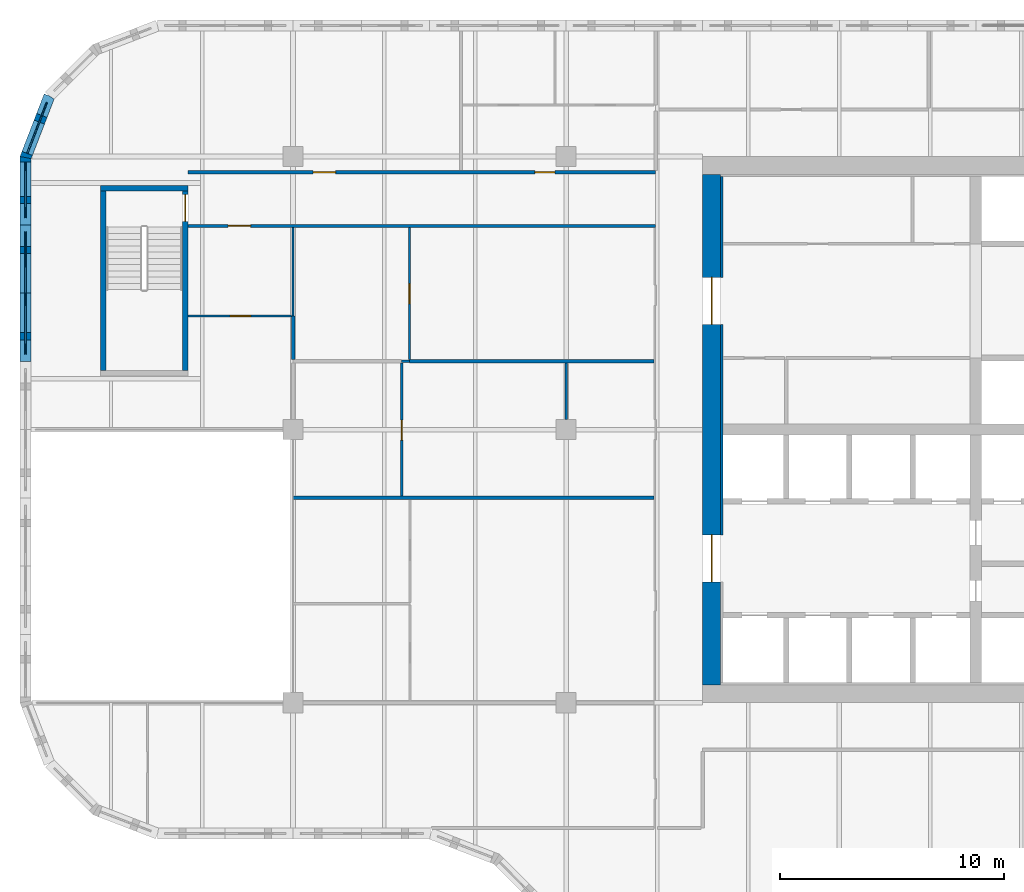
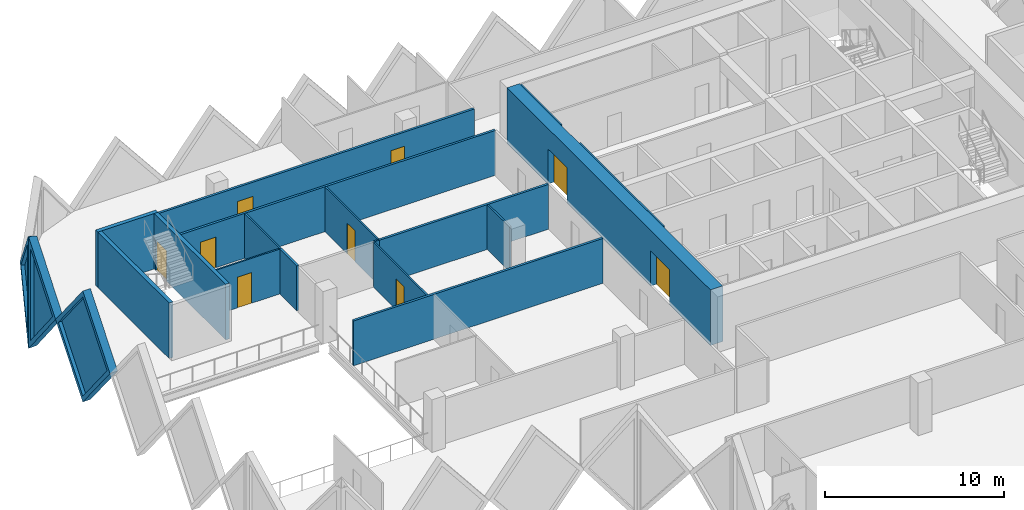
# One storey, part 8 of 19: 20 walls, 9 doors, 3 plates, 12 openings.
"""IFC4 building model written with IfcOpenShell, lengths in metres."""

from ifc_helpers import new_model, si_unit, direction, frame, frame_2d, origin, place, context, subcontext, project, spatial, polyline, rectangle, outline, extrude, faceted_brep, source, transform, mapped, material, layer, layer_set, type_object, element, fill, save


model = new_model("IFC4")

# Units and contexts
model_context = context("Model", 3, precision=1e-05, world=origin(), true_north=direction((0.0, 1.0)))
body_context = subcontext(model_context, "Body", "Model", "MODEL_VIEW")
ifc_project = project(units=[si_unit("LENGTHUNIT", "METRE"), si_unit("AREAUNIT", "SQUARE_METRE"), si_unit("VOLUMEUNIT", "CUBIC_METRE"), si_unit("PLANEANGLEUNIT", "RADIAN"), si_unit("MASSUNIT", "GRAM", prefix="KILO")], contexts=[model_context])

# Site, building, storey
site_placement = place(None, origin())
site = spatial("IfcSite", under=ifc_project, at=site_placement, CompositionType="ELEMENT")
building_placement = place(site_placement, origin())
building = spatial("IfcBuilding", under=site, at=building_placement, Name="Tessera Gate Towers", CompositionType="ELEMENT")
storey_placement = place(building_placement, frame((0.0, 0.0, 72.39990234375)))
storey = spatial("IfcBuildingStorey", under=building, at=storey_placement, Name="L17", CompositionType="ELEMENT", Elevation=72.39990234375)

# Walls
ifc_material_1 = material(Name="Concrete C40/50", Category="concrete")
ifc_layer_1 = layer(ifc_material_1, 0.25)
ifc_layer_set_1 = layer_set([ifc_layer_1], Name="CORE ENCLOSURE WALL 250")
wall_type_1 = type_object("IfcWallType", Name="CORE ENCLOSURE WALL 250", PredefinedType="SOLIDWALL", material=ifc_layer_set_1)
wall_1_placement = place(storey_placement, frame((3.72509765625, 39.25, 0.0), z_axis=(0.0, 0.0, 1.0), x_axis=(0.0, 1.0, 0.0)))
element("IfcWall", 1, at=wall_1_placement, inside=storey, type_object=wall_type_1, Name="L17 ST3 enclosure wall", PredefinedType="SOLIDWALL", context=body_context, shape_type="SweptSolid", body=[
    extrude(rectangle(XDim=8.0, YDim=0.25, at=frame_2d((4.0, 0.0))), origin(), (0.0, 0.0, 1.0), 3.800048828125),
])
wall_2_placement = place(storey_placement, frame((3.60009765625, 47.375, 0.0), z_axis=(0.0, 0.0, 1.0), x_axis=(1.0, 0.0, 0.0)))
element("IfcWall", 2, at=wall_2_placement, inside=storey, type_object=wall_type_1, Name="L17 ST3 enclosure wall", PredefinedType="SOLIDWALL", context=body_context, shape_type="SweptSolid", body=[
    extrude(rectangle(XDim=3.89990234375, YDim=0.25, at=frame_2d((1.949951171875, 0.0))), origin(), (0.0, 0.0, 1.0), 3.800048828125),
])

# Wall, opening, door
wall_3_placement = place(storey_placement, frame((7.375, 47.25, 0.0), z_axis=(0.0, 0.0, 1.0), x_axis=(0.0, -1.0, 0.0)))
wall_3 = element("IfcWall", 3, at=wall_3_placement, inside=storey, type_object=wall_type_1, Name="L17 ST3 enclosure wall", PredefinedType="SOLIDWALL", context=body_context, shape_type="SweptSolid", body=[
    extrude(rectangle(XDim=8.0, YDim=0.25, at=frame_2d((4.0, 0.0))), origin(), (0.0, 0.0, 1.0), 3.800048828125),
])
shared_shape_1 = source(origin(), body_context, "Body", "SweptSolid", [
    extrude(rectangle(XDim=1.199951171875, YDim=2.10009765625, at=frame_2d((0.60009765625, 1.050048828125))), frame((0.0, 0.135009765625, 0.0), z_axis=(0.0, -1.0, 0.0), x_axis=(1.0, 0.0, 0.0)), (0.0, 0.0, 1.0), 0.27001953125),
])
opening_1_placement = place(wall_3_placement, frame((0.14990234375, 0.0, 0.0)))
opening_1 = element("IfcOpeningElement", 4, at=opening_1_placement, cuts=wall_3, Name="Opening SD-ST3-1", PredefinedType="OPENING", context=body_context, shape_type="MappedRepresentation", body=[
    mapped(shared_shape_1, transform((0.0, 0.0, 0.0), scale=1.0)),
])
ifc_material_2 = material(Name="Hollow steel fire door", Category="steel")
door_type_1 = type_object("IfcDoorType", Name="CORE DOOR SD 1200x2100", OperationType="NOTDEFINED", PredefinedType="DOOR", material=ifc_material_2)
shared_shape_2 = source(origin(), body_context, "Body", "SweptSolid", [
    extrude(rectangle(XDim=1.199951171875, YDim=2.10009765625, at=frame_2d((0.60009765625, 1.050048828125))), frame((0.0, 0.02490234375, 0.0), z_axis=(0.0, -1.0, 0.0), x_axis=(1.0, 0.0, 0.0)), (0.0, 0.0, 1.0), 0.050048828125),
])
door_1_placement = place(opening_1_placement, origin())
door_1 = element("IfcDoor", 5, at=door_1_placement, inside=storey, type_object=door_type_1, Name="Stair door", OperationType="SINGLE_SWING_LEFT", OverallHeight=2.10009765625, OverallWidth=1.199951171875, PredefinedType="DOOR", context=body_context, shape_type="MappedRepresentation", body=[
    mapped(shared_shape_2, transform((0.0, 0.0, 0.0), scale=1.0)),
])
fill(opening_1, door_1)

# Wall, openings, doors
ifc_material_3 = material(Name="Concrete C60/75", Category="concrete")
ifc_layer_2 = layer(ifc_material_3, 0.800048828125)
ifc_layer_set_2 = layer_set([ifc_layer_2], Name="CORE SHEAR WALL 800 C60/75")
wall_type_2 = type_object("IfcWallType", Name="CORE SHEAR WALL 800 C60/75", PredefinedType="SHEAR", material=ifc_layer_set_2)
wall_4_placement = place(storey_placement, frame((30.89990234375, 25.199951171875, 0.0), z_axis=(0.0, 0.0, 1.0), x_axis=(0.0, 1.0, 0.0)))
wall_4 = element("IfcWall", 6, at=wall_4_placement, inside=storey, type_object=wall_type_2, Name="Core wall W L17", PredefinedType="SHEAR", context=body_context, shape_type="SweptSolid", body=[
    extrude(rectangle(XDim=22.800048828125, YDim=0.800048828125, at=frame_2d((11.39990234375, 0.0))), origin(), (0.0, 0.0, 1.0), 3.800048828125),
])
shared_shape_3 = source(origin(), body_context, "Body", "SweptSolid", [
    extrude(rectangle(XDim=2.10009765625, YDim=2.39990234375, at=frame_2d((1.050048828125, 1.199951171875))), frame((0.0, 0.409912109375, 0.0), z_axis=(0.0, -1.0, 0.0), x_axis=(1.0, 0.0, 0.0)), (0.0, 0.0, 1.0), 0.820068359375),
])
opening_2_placement = place(wall_4_placement, frame((4.60009765625, 0.0, 0.0)))
opening_2 = element("IfcOpeningElement", 7, at=opening_2_placement, cuts=wall_4, Name="Opening DD-T1-13-02", PredefinedType="OPENING", context=body_context, shape_type="MappedRepresentation", body=[
    mapped(shared_shape_3, transform((0.0, 0.0, 0.0), scale=1.0)),
])
opening_3_placement = place(wall_4_placement, frame((16.10009765625, 0.0, 0.0)))
opening_3 = element("IfcOpeningElement", 8, at=opening_3_placement, cuts=wall_4, Name="Opening DD-T1-13-03", PredefinedType="OPENING", context=body_context, shape_type="MappedRepresentation", body=[
    mapped(shared_shape_3, transform((0.0, 0.0, 0.0), scale=1.0)),
])
ifc_material_4 = material(Name="Hollow steel fire door", Category="steel")
door_type_2 = type_object("IfcDoorType", Name="CORE DOOR DD 2100x2400", OperationType="NOTDEFINED", PredefinedType="DOOR", material=ifc_material_4)
shared_shape_4 = source(origin(), body_context, "Body", "SweptSolid", [
    extrude(rectangle(XDim=2.10009765625, YDim=2.39990234375, at=frame_2d((1.050048828125, 1.199951171875))), frame((0.0, 0.02490234375, 0.0), z_axis=(0.0, -1.0, 0.0), x_axis=(1.0, 0.0, 0.0)), (0.0, 0.0, 1.0), 0.050048828125),
])
door_2_placement = place(opening_2_placement, origin())
door_2 = element("IfcDoor", 9, at=door_2_placement, inside=storey, type_object=door_type_2, Name="Core entrance door", OperationType="DOUBLE_DOOR_SINGLE_SWING", OverallHeight=2.39990234375, OverallWidth=2.10009765625, PredefinedType="DOOR", context=body_context, shape_type="MappedRepresentation", body=[
    mapped(shared_shape_4, transform((0.0, 0.0, 0.0), scale=1.0)),
])
fill(opening_2, door_2)
door_3_placement = place(opening_3_placement, origin())
door_3 = element("IfcDoor", 10, at=door_3_placement, inside=storey, type_object=door_type_2, Name="Core entrance door", OperationType="DOUBLE_DOOR_SINGLE_SWING", OverallHeight=2.39990234375, OverallWidth=2.10009765625, PredefinedType="DOOR", context=body_context, shape_type="MappedRepresentation", body=[
    mapped(shared_shape_4, transform((0.0, 0.0, 0.0), scale=1.0)),
])
fill(opening_3, door_3)

# Walls
ifc_material_5 = material(Name="Concrete C60/75", Category="concrete")
ifc_layer_3 = layer(ifc_material_5, 0.10009765625)
ifc_layer_set_3 = layer_set([ifc_layer_3], Name="CORE WALL THICKENING 100")
wall_type_3 = type_object("IfcWallType", Name="CORE WALL THICKENING 100", PredefinedType="SOLIDWALL", material=ifc_layer_set_3)
wall_5_placement = place(storey_placement, frame((31.35009765625, 31.89990234375, 0.0), z_axis=(0.0, 0.0, 1.0), x_axis=(0.0, 1.0, 0.0)))
element("IfcWall", 11, at=wall_5_placement, inside=storey, type_object=wall_type_3, Name="Core wall thickening W L17", PredefinedType="SOLIDWALL", context=body_context, shape_type="SweptSolid", body=[
    extrude(rectangle(XDim=9.400146484375, YDim=0.10009765625, at=frame_2d((4.7001953125, 0.0))), origin(), (0.0, 0.0, 1.0), 3.800048828125),
])
wall_6_placement = place(storey_placement, frame((31.35009765625, 43.39990234375, 0.0), z_axis=(0.0, 0.0, 1.0), x_axis=(0.0, 1.0, 0.0)))
element("IfcWall", 12, at=wall_6_placement, inside=storey, type_object=wall_type_3, Name="Core wall thickening W L17", PredefinedType="SOLIDWALL", context=body_context, shape_type="SweptSolid", body=[
    extrude(rectangle(XDim=4.5, YDim=0.10009765625, at=frame_2d((2.25, 0.0))), origin(), (0.0, 0.0, 1.0), 3.800048828125),
])

# Wall, opening, door
ifc_material_6 = material(Name="Gypsum board on steel studs, mineral wool", Category="steel")
ifc_layer_4 = layer(ifc_material_6, 0.14990234375)
ifc_layer_set_4 = layer_set([ifc_layer_4], Name="CORRIDOR WALL 150")
wall_type_4 = type_object("IfcWallType", Name="CORRIDOR WALL 150", PredefinedType="PARTITIONING", material=ifc_layer_set_4)
wall_7_placement = place(storey_placement, frame((28.39990234375, 45.699951171875, 0.0), z_axis=(0.0, 0.0, 1.0), x_axis=(-1.0, 0.0, 0.0)))
wall_7 = element("IfcWall", 13, at=wall_7_placement, inside=storey, type_object=wall_type_4, Name="T1-L17-PW-042", PredefinedType="PARTITIONING", context=body_context, shape_type="SweptSolid", body=[
    extrude(rectangle(XDim=20.89990234375, YDim=0.14990234375, at=frame_2d((10.449951171875, 0.0))), origin(), (0.0, 0.0, 1.0), 3.067138671875),
])
shared_shape_5 = source(origin(), body_context, "Body", "SweptSolid", [
    extrude(rectangle(XDim=1.0, YDim=2.10009765625, at=frame_2d((0.5, 1.050048828125))), frame((0.0, 0.0849609375, 0.0), z_axis=(0.0, -1.0, 0.0), x_axis=(1.0, 0.0, 0.0)), (0.0, 0.0, 1.0), 0.169921875),
])
opening_4_placement = place(wall_7_placement, frame((18.10009765625, 0.0, 0.0)))
opening_4 = element("IfcOpeningElement", 14, at=opening_4_placement, cuts=wall_7, Name="Opening D2100FD60-A06-01", PredefinedType="OPENING", context=body_context, shape_type="MappedRepresentation", body=[
    mapped(shared_shape_5, transform((0.0, 0.0, 0.0), scale=1.0)),
])
ifc_material_7 = material(Name="Timber door leaf in steel frame", Category="steel")
door_type_3 = type_object("IfcDoorType", Name="TENANCY ENTRANCE DOOR 1000 FD60", OperationType="NOTDEFINED", PredefinedType="DOOR", material=ifc_material_7)
shared_shape_6 = source(origin(), body_context, "Body", "SweptSolid", [
    extrude(rectangle(XDim=1.0, YDim=2.10009765625, at=frame_2d((0.5, 1.050048828125))), frame((0.0, 0.02490234375, 0.0), z_axis=(0.0, -1.0, 0.0), x_axis=(1.0, 0.0, 0.0)), (0.0, 0.0, 1.0), 0.050048828125),
])
door_4_placement = place(opening_4_placement, origin())
door_4 = element("IfcDoor", 15, at=door_4_placement, inside=storey, type_object=door_type_3, Name="T1-L17-PD-010", OperationType="SINGLE_SWING_RIGHT", OverallHeight=2.10009765625, OverallWidth=1.0, PredefinedType="DOOR", context=body_context, shape_type="MappedRepresentation", body=[
    mapped(shared_shape_6, transform((0.0, 0.0, 0.0), scale=1.0)),
])
fill(opening_4, door_4)

# Wall, openings, doors
wall_8_placement = place(storey_placement, frame((7.5, 48.10009765625, 0.0), z_axis=(0.0, 0.0, 1.0), x_axis=(1.0, 0.0, 0.0)))
wall_8 = element("IfcWall", 16, at=wall_8_placement, inside=storey, type_object=wall_type_4, Name="T1-L17-PW-043", PredefinedType="PARTITIONING", context=body_context, shape_type="SweptSolid", body=[
    extrude(rectangle(XDim=20.89990234375, YDim=0.14990234375, at=frame_2d((10.449951171875, 0.0))), origin(), (0.0, 0.0, 1.0), 3.067138671875),
])
shared_shape_7 = source(origin(), body_context, "Body", "SweptSolid", [
    extrude(rectangle(XDim=0.89990234375, YDim=2.10009765625, at=frame_2d((0.449951171875, 1.050048828125))), frame((0.0, 0.0849609375, 0.0), z_axis=(0.0, -1.0, 0.0), x_axis=(1.0, 0.0, 0.0)), (0.0, 0.0, 1.0), 0.169921875),
])
opening_5_placement = place(wall_8_placement, frame((15.5009765625, 0.0, 0.0)))
opening_5 = element("IfcOpeningElement", 17, at=opening_5_placement, cuts=wall_8, Name="Opening D890FD60-A06-06", PredefinedType="OPENING", context=body_context, shape_type="MappedRepresentation", body=[
    mapped(shared_shape_7, transform((0.0, 0.0, 0.0), scale=1.0)),
])
opening_6_placement = place(wall_8_placement, frame((5.60009765625, 0.0, 0.0)))
opening_6 = element("IfcOpeningElement", 18, at=opening_6_placement, cuts=wall_8, Name="Opening D2100FD60-A06-03", PredefinedType="OPENING", context=body_context, shape_type="MappedRepresentation", body=[
    mapped(shared_shape_5, transform((0.0, 0.0, 0.0), scale=1.0)),
])
ifc_material_8 = material(Name="Timber door leaf in steel frame", Category="steel")
door_type_4 = type_object("IfcDoorType", Name="CORRIDOR DOOR 900 FD60", OperationType="NOTDEFINED", PredefinedType="DOOR", material=ifc_material_8)
shared_shape_8 = source(origin(), body_context, "Body", "SweptSolid", [
    extrude(rectangle(XDim=0.89990234375, YDim=2.10009765625, at=frame_2d((0.449951171875, 1.050048828125))), frame((0.0, 0.02490234375, 0.0), z_axis=(0.0, -1.0, 0.0), x_axis=(1.0, 0.0, 0.0)), (0.0, 0.0, 1.0), 0.050048828125),
])
door_5_placement = place(opening_5_placement, origin())
door_5 = element("IfcDoor", 19, at=door_5_placement, inside=storey, type_object=door_type_4, Name="T1-L17-PD-020", OperationType="SINGLE_SWING_LEFT", OverallHeight=2.10009765625, OverallWidth=0.89990234375, PredefinedType="DOOR", context=body_context, shape_type="MappedRepresentation", body=[
    mapped(shared_shape_8, transform((0.0, 0.0, 0.0), scale=1.0)),
])
fill(opening_5, door_5)
door_6_placement = place(opening_6_placement, origin())
door_6 = element("IfcDoor", 20, at=door_6_placement, inside=storey, type_object=door_type_3, Name="T1-L17-PD-026", OperationType="SINGLE_SWING_LEFT", OverallHeight=2.10009765625, OverallWidth=1.0, PredefinedType="DOOR", context=body_context, shape_type="MappedRepresentation", body=[
    mapped(shared_shape_6, transform((0.0, 0.0, 0.0), scale=1.0)),
])
fill(opening_6, door_6)

# Wall
ifc_material_9 = material(Name="Glass", Category="glass")
ifc_layer_5 = layer(ifc_material_9, 0.10009765625)
ifc_layer_set_5 = layer_set([ifc_layer_5], Name="GLAZED PARTITION 100")
wall_type_5 = type_object("IfcWallType", Name="GLAZED PARTITION 100", PredefinedType="PARTITIONING", material=ifc_layer_set_5)
wall_9_placement = place(storey_placement, frame((17.051025390625, 39.64990234375, 0.0), z_axis=(0.0, 0.0, 1.0), x_axis=(1.0, 0.0, 0.0)))
element("IfcWall", 21, at=wall_9_placement, inside=storey, type_object=wall_type_5, Name="T1-L17-PW-036", PredefinedType="PARTITIONING", context=body_context, shape_type="SweptSolid", body=[
    extrude(rectangle(XDim=0.347900390625, YDim=0.10009765625, at=frame_2d((0.173828125, 0.0))), origin(), (0.0, 0.0, 1.0), 3.067138671875),
])

# Wall, opening, door
wall_10_placement = place(storey_placement, frame((17.39990234375, 39.72607421875, 0.0), z_axis=(0.0, 0.0, 1.0), x_axis=(0.0, 1.0, 0.0)))
wall_10 = element("IfcWall", 22, at=wall_10_placement, inside=storey, type_object=wall_type_5, Name="T1-L17-PW-039", PredefinedType="PARTITIONING", context=body_context, shape_type="SweptSolid", body=[
    extrude(rectangle(XDim=5.89794921875, YDim=0.10009765625, at=frame_2d((2.948974609375, 0.0))), origin(), (0.0, 0.0, 1.0), 3.067138671875),
])
shared_shape_9 = source(origin(), body_context, "Body", "SweptSolid", [
    extrude(rectangle(XDim=0.89990234375, YDim=2.10009765625, at=frame_2d((0.449951171875, 1.050048828125))), frame((0.0, 0.06005859375, 0.0), z_axis=(0.0, -1.0, 0.0), x_axis=(1.0, 0.0, 0.0)), (0.0, 0.0, 1.0), 0.1201171875),
])
opening_7_placement = place(wall_10_placement, frame((2.5, 0.0, 0.0)))
opening_7 = element("IfcOpeningElement", 23, at=opening_7_placement, cuts=wall_10, Name="Opening D690-A06-06", PredefinedType="OPENING", context=body_context, shape_type="MappedRepresentation", body=[
    mapped(shared_shape_9, transform((0.0, 0.0, 0.0), scale=1.0)),
])
ifc_material_10 = material(Name="Glass in aluminium frame", Category="aluminium")
door_type_5 = type_object("IfcDoorType", Name="GLAZED DOOR 900 NOT RATED", OperationType="NOTDEFINED", PredefinedType="DOOR", material=ifc_material_10)
door_7_placement = place(opening_7_placement, origin())
door_7 = element("IfcDoor", 24, at=door_7_placement, inside=storey, type_object=door_type_5, Name="T1-L17-PD-015", OperationType="SINGLE_SWING_LEFT", OverallHeight=2.10009765625, OverallWidth=0.89990234375, PredefinedType="DOOR", context=body_context, shape_type="MappedRepresentation", body=[
    mapped(shared_shape_8, transform((0.0, 0.0, 0.0), scale=1.0)),
])
fill(opening_7, door_7)

wall_11_placement = place(storey_placement, frame((12.1240234375, 41.675048828125, 0.0), z_axis=(0.0, 0.0, 1.0), x_axis=(-1.0, 0.0, 0.0)))
wall_11 = element("IfcWall", 25, at=wall_11_placement, inside=storey, type_object=wall_type_5, Name="T1-L17-PW-040", PredefinedType="PARTITIONING", context=body_context, shape_type="SweptSolid", body=[
    extrude(rectangle(XDim=4.6240234375, YDim=0.10009765625, at=frame_2d((2.31201171875, 0.0))), origin(), (0.0, 0.0, 1.0), 3.067138671875),
])
opening_8_placement = place(wall_11_placement, frame((1.823974609375, 0.0, 0.0)))
opening_8 = element("IfcOpeningElement", 26, at=opening_8_placement, cuts=wall_11, Name="Opening D690-A06-03", PredefinedType="OPENING", context=body_context, shape_type="MappedRepresentation", body=[
    mapped(shared_shape_9, transform((0.0, 0.0, 0.0), scale=1.0)),
])
door_8_placement = place(opening_8_placement, origin())
door_8 = element("IfcDoor", 27, at=door_8_placement, inside=storey, type_object=door_type_5, Name="T1-L17-PD-009", OperationType="SINGLE_SWING_RIGHT", OverallHeight=2.10009765625, OverallWidth=0.89990234375, PredefinedType="DOOR", context=body_context, shape_type="MappedRepresentation", body=[
    mapped(shared_shape_8, transform((0.0, 0.0, 0.0), scale=1.0)),
])
fill(opening_8, door_8)

# Wall
wall_12_placement = place(storey_placement, frame((12.199951171875, 41.676025390625, 0.0), z_axis=(0.0, 0.0, 1.0), x_axis=(0.0, 1.0, 0.0)))
element("IfcWall", 28, at=wall_12_placement, inside=storey, type_object=wall_type_5, Name="T1-L17-PW-041", PredefinedType="PARTITIONING", context=body_context, shape_type="SweptSolid", body=[
    extrude(rectangle(XDim=3.947998046875, YDim=0.10009765625, at=frame_2d((1.97412109375, 0.0))), origin(), (0.0, 0.0, 1.0), 3.067138671875),
])

# Wall, opening, door
ifc_material_11 = material(Name="Gypsum board on steel studs", Category="steel")
ifc_layer_6 = layer(ifc_material_11, 0.10009765625)
ifc_layer_set_6 = layer_set([ifc_layer_6], Name="PARTITION 100")
wall_type_6 = type_object("IfcWallType", Name="PARTITION 100", PredefinedType="PARTITIONING", material=ifc_layer_set_6)
wall_13_placement = place(storey_placement, frame((17.050048828125, 33.6259765625, 0.0), z_axis=(0.0, 0.0, 1.0), x_axis=(0.0, 1.0, 0.0)))
wall_13 = element("IfcWall", 29, at=wall_13_placement, inside=storey, type_object=wall_type_6, Name="T1-L17-PW-032", PredefinedType="PARTITIONING", context=body_context, shape_type="SweptSolid", body=[
    extrude(rectangle(XDim=5.947998046875, YDim=0.10009765625, at=frame_2d((2.97412109375, 0.0))), origin(), (0.0, 0.0, 1.0), 3.067138671875),
])
opening_9_placement = place(wall_13_placement, frame((2.5, 0.0, 0.0)))
opening_9 = element("IfcOpeningElement", 30, at=opening_9_placement, cuts=wall_13, Name="Opening D190-A06-07", PredefinedType="OPENING", context=body_context, shape_type="MappedRepresentation", body=[
    mapped(shared_shape_9, transform((0.0, 0.0, 0.0), scale=1.0)),
])
ifc_material_12 = material(Name="Timber door leaf in steel frame", Category="steel")
door_type_6 = type_object("IfcDoorType", Name="INTERNAL DOOR 900 NOT RATED", OperationType="NOTDEFINED", PredefinedType="DOOR", material=ifc_material_12)
door_9_placement = place(opening_9_placement, origin())
door_9 = element("IfcDoor", 31, at=door_9_placement, inside=storey, type_object=door_type_6, Name="T1-L17-PD-016", OperationType="SINGLE_SWING_LEFT", OverallHeight=2.10009765625, OverallWidth=0.89990234375, PredefinedType="DOOR", context=body_context, shape_type="MappedRepresentation", body=[
    mapped(shared_shape_8, transform((0.0, 0.0, 0.0), scale=1.0)),
])
fill(opening_9, door_9)

# Walls
wall_14_placement = place(storey_placement, frame((24.39990234375, 37.050048828125, 0.0), z_axis=(0.0, 0.0, 1.0), x_axis=(0.0, 1.0, 0.0)))
element("IfcWall", 32, at=wall_14_placement, inside=storey, type_object=wall_type_6, Name="T1-L17-PW-034", PredefinedType="PARTITIONING", context=body_context, shape_type="SweptSolid", body=[
    extrude(rectangle(XDim=2.52490234375, YDim=0.10009765625, at=frame_2d((1.262451171875, 0.0))), origin(), (0.0, 0.0, 1.0), 3.067138671875),
])
ifc_material_13 = material(Name="Gypsum board on steel studs, mineral wool", Category="steel")
ifc_layer_7 = layer(ifc_material_13, 0.14990234375)
ifc_layer_set_7 = layer_set([ifc_layer_7], Name="TENANCY WALL 150")
wall_type_7 = type_object("IfcWallType", Name="TENANCY WALL 150", PredefinedType="PARTITIONING", material=ifc_layer_set_7)
wall_15_placement = place(storey_placement, frame((12.199951171875, 33.550048828125, 0.0), z_axis=(0.0, 0.0, 1.0), x_axis=(1.0, 0.0, 0.0)))
element("IfcWall", 33, at=wall_15_placement, inside=storey, type_object=wall_type_7, Name="T1-L17-PW-031", PredefinedType="PARTITIONING", context=body_context, shape_type="SweptSolid", body=[
    extrude(rectangle(XDim=16.1240234375, YDim=0.14990234375, at=frame_2d((8.06201171875, 0.0))), origin(), (0.0, 0.0, 1.0), 3.067138671875),
])
wall_16_placement = place(storey_placement, frame((17.39990234375, 39.64990234375, 0.0), z_axis=(0.0, 0.0, 1.0), x_axis=(1.0, 0.0, 0.0)))
element("IfcWall", 34, at=wall_16_placement, inside=storey, type_object=wall_type_7, Name="T1-L17-PW-037", PredefinedType="PARTITIONING", context=body_context, shape_type="SweptSolid", body=[
    extrude(rectangle(XDim=10.924072265625, YDim=0.14990234375, at=frame_2d((5.4619140625, 0.0))), origin(), (0.0, 0.0, 1.0), 3.067138671875),
])
wall_17_placement = place(storey_placement, frame((12.199951171875, 39.72607421875, 0.0), z_axis=(0.0, 0.0, 1.0), x_axis=(0.0, 1.0, 0.0)))
element("IfcWall", 35, at=wall_17_placement, inside=storey, type_object=wall_type_7, Name="T1-L17-PW-038", PredefinedType="PARTITIONING", context=body_context, shape_type="SweptSolid", body=[
    extrude(rectangle(XDim=1.948974609375, YDim=0.14990234375, at=frame_2d((0.974609375, 0.0))), origin(), (0.0, 0.0, 1.0), 3.067138671875),
])

# Wall, opening, plate
ifc_material_14 = material(Name="Precast concrete C60/75 white", Category="concrete")
ifc_layer_8 = layer(ifc_material_14, 0.5)
ifc_layer_set_8 = layer_set([ifc_layer_8], Name="TS3 corner tessera")
wall_type_8 = type_object("IfcWallType", Name="TS3 corner tessera", PredefinedType="SOLIDWALL", material=ifc_layer_set_8)
shared_shape_10 = source(origin(), body_context, "Body", "Brep", [
    faceted_brep([(0.046630859375, -0.25, 0.0), (3.050048828125, -0.25, 3.7998046875), (0.046630859375, -0.25, 7.599853515625), (0.0, -0.25, 7.539794921875), (0.0, -0.25, 0.06005859375), (0.09326171875, 0.25, 7.541015625), (3.050048828125, 0.25, 3.7998046875), (0.09326171875, 0.25, 0.058837890625), (0.046630859375, 0.0, 0.0), (0.046630859375, 0.0, 7.599853515625)], [[[0, 1, 2, 3, 4]], [[5, 6, 7]], [[7, 6, 1, 0, 8]], [[6, 5, 9, 2, 1]], [[3, 2, 9]], [[8, 0, 4]], [[7, 8, 4, 3, 9, 5]]]),
])
wall_18_placement = place(storey_placement, frame((0.25, 48.800048828125, -3.7998046875), z_axis=(0.0, 0.0, 1.0), x_axis=(0.0, -1.0, 0.0)))
wall_18 = element("IfcWall", 36, at=wall_18_placement, inside=storey, type_object=wall_type_8, Name="Precast corner tessera T1 TS3-0372", PredefinedType="SOLIDWALL", context=body_context, shape_type="MappedRepresentation", body=[
    mapped(shared_shape_10, transform((0.0, 0.0, 0.0), scale=1.0)),
])
shared_shape_11 = source(origin(), body_context, "Body", "SweptSolid", [
    extrude(outline(polyline([(0.24658203125, 0.656005859375), (2.7314453125, 3.7998046875), (0.24658203125, 6.943603515625), (0.24658203125, 0.656005859375)])), frame((0.0, 0.260009765625, 0.0), z_axis=(0.0, -1.0, 0.0), x_axis=(1.0, 0.0, 0.0)), (0.0, 0.0, 1.0), 0.52001953125),
])
opening_10_placement = place(wall_18_placement, origin())
opening_10 = element("IfcOpeningElement", 37, at=opening_10_placement, cuts=wall_18, Name="Opening T1-PL2-0499", PredefinedType="OPENING", context=body_context, shape_type="MappedRepresentation", body=[
    mapped(shared_shape_11, transform((0.0, 0.0, 0.0), scale=1.0)),
])
ifc_material_15 = material(Name="Low-e laminated glass", Category="glass")
ifc_layer_9 = layer(ifc_material_15, 0.06005859375)
ifc_layer_set_9 = layer_set([ifc_layer_9], Name="PL2 rhombic pane")
plate_type = type_object("IfcPlateType", Name="PL2 rhombic pane", PredefinedType="SHEET", material=ifc_layer_set_9)
shared_shape_12 = source(origin(), body_context, "Body", "SweptSolid", [
    extrude(outline(polyline([(0.24658203125, 0.656005859375), (2.7314453125, 3.7998046875), (0.24658203125, 6.943603515625), (0.24658203125, 0.656005859375)])), frame((0.0, 0.030029296875, 0.0), z_axis=(0.0, -1.0, 0.0), x_axis=(1.0, 0.0, 0.0)), (0.0, 0.0, 1.0), 0.06005859375),
])
plate_1_placement = place(opening_10_placement, origin())
plate_1 = element("IfcPlate", 38, at=plate_1_placement, inside=storey, type_object=plate_type, Name="Glass pane T1 PL2-0499", PredefinedType="SHEET", context=body_context, shape_type="MappedRepresentation", body=[
    mapped(shared_shape_12, transform((0.0, 0.0, 0.0), scale=1.0)),
])
fill(opening_10, plate_1)

shared_shape_13 = source(origin(), body_context, "Body", "Brep", [
    faceted_brep([(2.950439453125, -0.25, 0.0), (2.9970703125, -0.25, 0.05908203125), (2.9970703125, -0.25, 7.540771484375), (2.950439453125, -0.25, 7.599853515625), (0.0, -0.25, 3.7998046875), (0.052978515625, 0.25, 3.867919921875), (2.904052734375, 0.25, 7.5400390625), (2.904052734375, 0.25, 0.059814453125), (0.052978515625, 0.25, 3.731689453125), (2.950439453125, 0.00048828125, 0.0), (2.950439453125, 0.00048828125, 7.599853515625), (0.0, 0.0, 3.7998046875)], [[[0, 1, 2, 3, 4]], [[5, 6, 7, 8]], [[1, 0, 9]], [[10, 3, 2]], [[6, 5, 11, 4, 3, 10]], [[8, 7, 9, 0, 4, 11]], [[8, 11, 5]], [[1, 9, 7, 6, 10, 2]]]),
])
wall_19_placement = place(storey_placement, frame((1.31201171875, 51.50634765625, -3.7998046875), z_axis=(0.0, 0.0, 1.0), x_axis=(-0.359944998003, -0.932973525033, 0.0)))
wall_19 = element("IfcWall", 39, at=wall_19_placement, inside=storey, type_object=wall_type_8, Name="Precast corner tessera T1 TS3-0371", PredefinedType="SOLIDWALL", context=body_context, shape_type="MappedRepresentation", body=[
    mapped(shared_shape_13, transform((0.0, 0.0, 0.0), scale=1.0)),
])
shared_shape_14 = source(origin(), body_context, "Body", "SweptSolid", [
    extrude(outline(polyline([(2.75048828125, 6.9345703125), (0.31640625, 3.7998046875), (2.75048828125, 0.6650390625), (2.75048828125, 6.9345703125)])), frame((0.0, 0.260009765625, 0.0), z_axis=(0.0, -1.0, 0.0), x_axis=(1.0, 0.0, 0.0)), (0.0, 0.0, 1.0), 0.52001953125),
])
opening_11_placement = place(wall_19_placement, origin())
opening_11 = element("IfcOpeningElement", 40, at=opening_11_placement, cuts=wall_19, Name="Opening T1-PL2-0498", PredefinedType="OPENING", context=body_context, shape_type="MappedRepresentation", body=[
    mapped(shared_shape_14, transform((0.0, 0.0, 0.0), scale=1.0)),
])
shared_shape_15 = source(origin(), body_context, "Body", "SweptSolid", [
    extrude(outline(polyline([(2.75048828125, 6.9345703125), (0.31640625, 3.7998046875), (2.75048828125, 0.6650390625), (2.75048828125, 6.9345703125)])), frame((0.0, 0.030029296875, 0.0), z_axis=(0.0, -1.0, 0.0), x_axis=(1.0, 0.0, 0.0)), (0.0, 0.0, 1.0), 0.06005859375),
])
plate_2_placement = place(opening_11_placement, origin())
plate_2 = element("IfcPlate", 41, at=plate_2_placement, inside=storey, type_object=plate_type, Name="Glass pane T1 PL2-0498", PredefinedType="SHEET", context=body_context, shape_type="MappedRepresentation", body=[
    mapped(shared_shape_15, transform((0.0, 0.0, 0.0), scale=1.0)),
])
fill(opening_11, plate_2)

ifc_material_16 = material(Name="Precast concrete C60/75 white", Category="concrete")
ifc_layer_10 = layer(ifc_material_16, 0.5)
ifc_layer_set_10 = layer_set([ifc_layer_10], Name="TS1 tessera")
wall_type_9 = type_object("IfcWallType", Name="TS1 tessera", PredefinedType="SOLIDWALL", material=ifc_layer_set_10)
shared_shape_16 = source(origin(), body_context, "Body", "SweptSolid", [
    extrude(outline(polyline([(3.050048828125, 0.0), (6.10009765625, 3.7998046875), (3.050048828125, 7.599853515625), (0.0, 3.7998046875), (3.050048828125, 0.0)])), frame((0.0, 0.25, 0.0), z_axis=(0.0, -1.0, 0.0), x_axis=(1.0, 0.0, 0.0)), (0.0, 0.0, 1.0), 0.5),
])
wall_20_placement = place(storey_placement, frame((0.25, 45.75, -3.7998046875), z_axis=(0.0, 0.0, 1.0), x_axis=(0.0, -1.0, 0.0)))
wall_20 = element("IfcWall", 42, at=wall_20_placement, inside=storey, type_object=wall_type_9, Name="Precast tessera T1 TS1-0248", PredefinedType="SOLIDWALL", context=body_context, shape_type="MappedRepresentation", body=[
    mapped(shared_shape_16, transform((0.0, 0.0, 0.0), scale=1.0)),
])
shared_shape_17 = source(origin(), body_context, "Body", "SweptSolid", [
    extrude(outline(polyline([(3.050048828125, 0.3994140625), (5.779541015625, 3.7998046875), (3.050048828125, 7.200439453125), (0.320556640625, 3.7998046875), (3.050048828125, 0.3994140625)])), frame((0.0, 0.260009765625, 0.0), z_axis=(0.0, -1.0, 0.0), x_axis=(1.0, 0.0, 0.0)), (0.0, 0.0, 1.0), 0.52001953125),
])
opening_12_placement = place(wall_20_placement, origin())
opening_12 = element("IfcOpeningElement", 43, at=opening_12_placement, cuts=wall_20, Name="Opening T1-PL2-0500", PredefinedType="OPENING", context=body_context, shape_type="MappedRepresentation", body=[
    mapped(shared_shape_17, transform((0.0, 0.0, 0.0), scale=1.0)),
])
shared_shape_18 = source(origin(), body_context, "Body", "SweptSolid", [
    extrude(outline(polyline([(3.050048828125, 0.3994140625), (5.779541015625, 3.7998046875), (3.050048828125, 7.200439453125), (0.320556640625, 3.7998046875), (3.050048828125, 0.3994140625)])), frame((0.0, 0.030029296875, 0.0), z_axis=(0.0, -1.0, 0.0), x_axis=(1.0, 0.0, 0.0)), (0.0, 0.0, 1.0), 0.06005859375),
])
plate_3_placement = place(opening_12_placement, origin())
plate_3 = element("IfcPlate", 44, at=plate_3_placement, inside=storey, type_object=plate_type, Name="Glass pane T1 PL2-0500", PredefinedType="SHEET", context=body_context, shape_type="MappedRepresentation", body=[
    mapped(shared_shape_18, transform((0.0, 0.0, 0.0), scale=1.0)),
])
fill(opening_12, plate_3)

save(model, "model.ifc")
